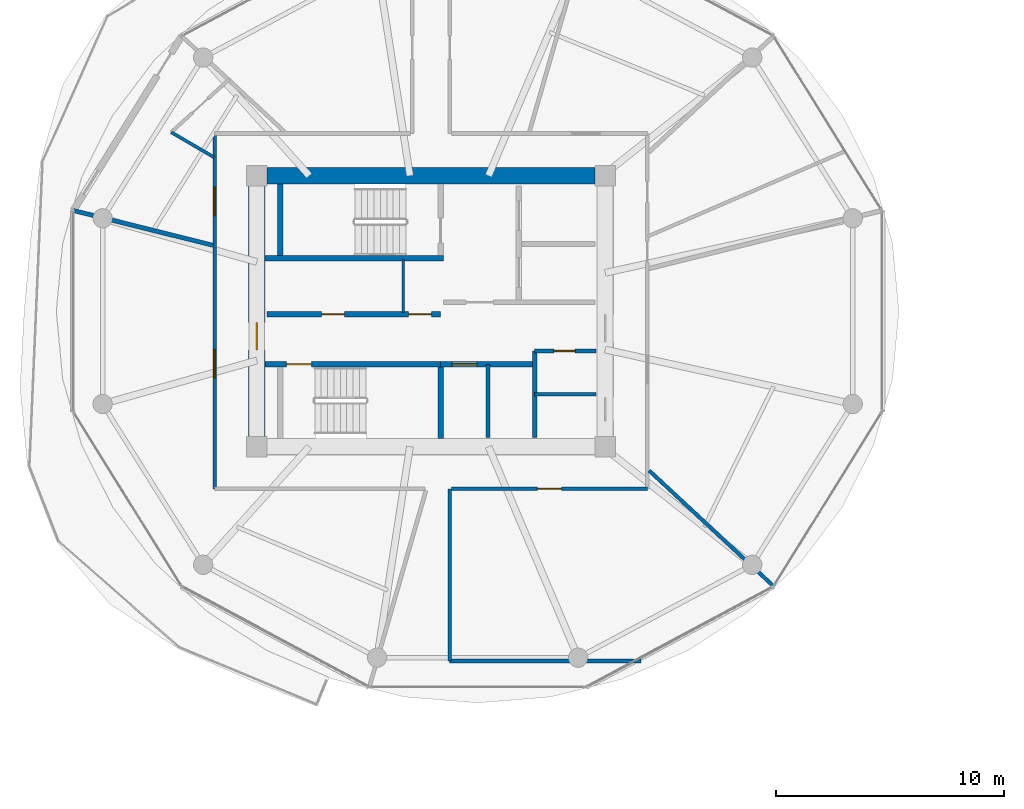
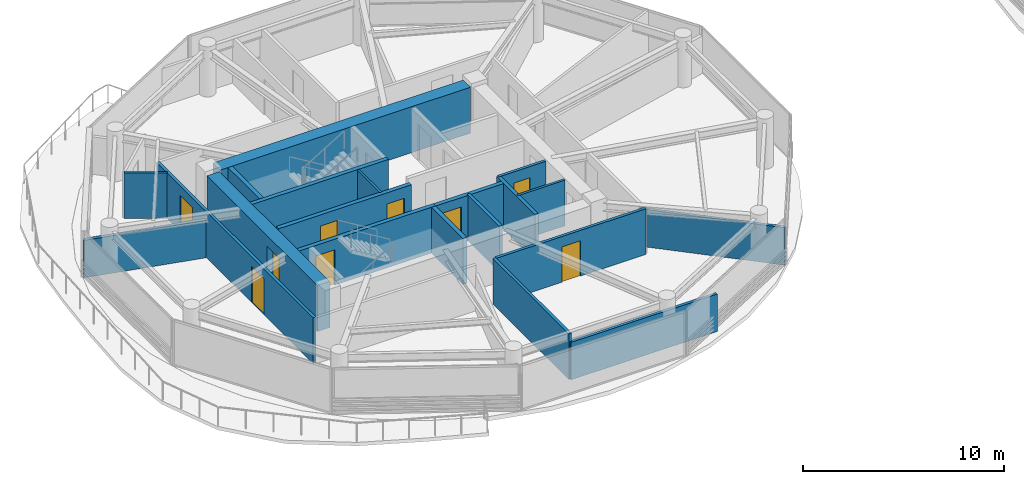
# One storey, part 13 of 22: 20 walls, 9 doors, 9 openings.
"""IFC4 building model written with IfcOpenShell, lengths in metres."""

from ifc_helpers import new_model, si_unit, direction, frame, frame_2d, origin, place, context, subcontext, project, spatial, rectangle, extrude, source, transform, mapped, material, layer, layer_set, type_object, type_shapes, element, fill, save


model = new_model("IFC4")

# Units and contexts
model_context = context("Model", 3, precision=1e-05, world=origin(), true_north=direction((0.0, 1.0)))
body_context = subcontext(model_context, "Body", "Model", "MODEL_VIEW")
ifc_project = project(units=[si_unit("LENGTHUNIT", "METRE"), si_unit("AREAUNIT", "SQUARE_METRE"), si_unit("VOLUMEUNIT", "CUBIC_METRE"), si_unit("PLANEANGLEUNIT", "RADIAN"), si_unit("MASSUNIT", "GRAM", prefix="KILO")], contexts=[model_context])

# Site, building, storey
site_placement = place(None, origin())
site = spatial("IfcSite", under=ifc_project, at=site_placement, CompositionType="ELEMENT")
building_placement = place(site_placement, origin())
building = spatial("IfcBuilding", under=site, at=building_placement, Name="Norrkilde Senior Care Towers", CompositionType="ELEMENT")
storey_placement = place(building_placement, frame((0.0, 0.0, 96.25)))
storey = spatial("IfcBuildingStorey", under=building, at=storey_placement, Name="L29", CompositionType="ELEMENT", Elevation=96.25)

# Wall
ifc_material_1 = material(Name="Concrete C60/75", Category="concrete")
ifc_layer_1 = layer(ifc_material_1, 0.719970703125)
ifc_layer_set_1 = layer_set([ifc_layer_1], Name="Concrete C60/75")
wall_type_1 = type_object("IfcWallType", Name="Core Shear Wall Z2 720", PredefinedType="SHEAR", material=ifc_layer_set_1)
shared_shape_1 = source(origin(), body_context, "Body", "SweptSolid", [
    extrude(rectangle(XDim=14.39990234375, YDim=0.719970703125, at=frame_2d((7.199951171875, 0.0))), origin(), (0.0, 0.0, 1.0), 2.7900390625),
])
wall_1_placement = place(storey_placement, frame((-35.199951171875, 5.949951171875, 0.0), z_axis=(0.0, 0.0, 1.0), x_axis=(1.0, 0.0, 0.0)))
element("IfcWall", 1, at=wall_1_placement, inside=storey, type_object=wall_type_1, Name="L29 Core W North Shear Wall", PredefinedType="SHEAR", context=body_context, shape_type="MappedRepresentation", body=[
    mapped(shared_shape_1, transform((0.0, 0.0, 0.0), x_axis=(1.0, 0.0, 0.0), y_axis=(0.0, 1.0, 0.0), z_axis=(0.0, 0.0, 1.0), scale=1.0)),
])

# Wall, opening, door
shared_shape_2 = source(origin(), body_context, "Body", "SweptSolid", [
    extrude(rectangle(XDim=11.0, YDim=0.719970703125, at=frame_2d((5.5, 0.0))), origin(), (0.0, 0.0, 1.0), 2.7900390625),
])
type_shapes(wall_type_1, [shared_shape_1, shared_shape_2])
wall_2_placement = place(storey_placement, frame((-35.64990234375, -5.5, 0.0), z_axis=(0.0, 0.0, 1.0), x_axis=(0.0, 1.0, 0.0)))
wall_2 = element("IfcWall", 2, at=wall_2_placement, inside=storey, type_object=wall_type_1, Name="L29 Core W West Shear Wall", PredefinedType="SHEAR", context=body_context, shape_type="MappedRepresentation", body=[
    mapped(shared_shape_2, transform((0.0, 0.0, 0.0), x_axis=(1.0, 0.0, 0.0), y_axis=(0.0, 1.0, 0.0), z_axis=(0.0, 0.0, 1.0), scale=1.0)),
])
opening_1_placement = place(wall_2_placement, frame((3.800048828125, 0.0, 0.0)))
opening_1 = element("IfcOpeningElement", 3, at=opening_1_placement, cuts=wall_2, Name="Opening D-04", PredefinedType="OPENING", context=body_context, shape_type="SweptSolid", body=[
    extrude(rectangle(XDim=1.199951171875, YDim=2.14990234375, at=frame_2d((0.60009765625, 1.074951171875))), frame((0.0, 0.369873046875, 0.0), z_axis=(0.0, -1.0, 0.0), x_axis=(1.0, 0.0, 0.0)), (0.0, 0.0, 1.0), 0.739990234375),
])
ifc_material_2 = material(Name="Galvanised Painted Steel", Category="steel")
door_type_1 = type_object("IfcDoorType", Name="Firefighting Lobby Fire Door 1200x2150", OperationType="NOTDEFINED", PredefinedType="DOOR", material=ifc_material_2)
shared_shape_3 = source(origin(), body_context, "Body", "SweptSolid", [
    extrude(rectangle(XDim=1.199951171875, YDim=2.14990234375, at=frame_2d((0.60009765625, 1.074951171875))), frame((0.0, 0.02490234375, 0.0), z_axis=(0.0, -1.0, 0.0), x_axis=(1.0, 0.0, 0.0)), (0.0, 0.0, 1.0), 0.050048828125),
])
type_shapes(door_type_1, [shared_shape_3])
door_1_placement = place(opening_1_placement, frame((1.199951171875, 0.0, 0.0), z_axis=(0.0, 0.0, 1.0), x_axis=(-1.0, 0.0, 0.0)))
door_1 = element("IfcDoor", 4, at=door_1_placement, inside=storey, type_object=door_type_1, Name="L29 Core W West Portal Door", OperationType="SINGLE_SWING_LEFT", OverallHeight=2.14990234375, OverallWidth=1.199951171875, PredefinedType="DOOR", context=body_context, shape_type="MappedRepresentation", body=[
    mapped(shared_shape_3, transform((0.0, 0.0, 0.0), x_axis=(1.0, 0.0, 0.0), y_axis=(0.0, 1.0, 0.0), z_axis=(0.0, 0.0, 1.0), scale=1.0)),
])
fill(opening_1, door_1)

# Wall, openings, doors
ifc_material_3 = material(Name="Concrete C45/55", Category="concrete")
ifc_layer_2 = layer(ifc_material_3, 0.239990234375)
ifc_layer_set_2 = layer_set([ifc_layer_2], Name="Concrete C45/55")
wall_type_2 = type_object("IfcWallType", Name="Lift and Plant Rated Enclosure Partition 240", PredefinedType="PARTITIONING", material=ifc_layer_set_2)
shared_shape_4 = source(origin(), body_context, "Body", "SweptSolid", [
    extrude(rectangle(XDim=7.619873046875, YDim=0.239990234375, at=frame_2d((3.81005859375, 0.0))), origin(), (0.0, 0.0, 1.0), 2.77490234375),
])
wall_3_placement = place(storey_placement, frame((-35.199951171875, -0.1298828125, 0.0), z_axis=(0.0, 0.0, 1.0), x_axis=(1.0, 0.0, 0.0)))
wall_3 = element("IfcWall", 5, at=wall_3_placement, inside=storey, type_object=wall_type_2, Name="WL-INT-L29-W-PKAS", PredefinedType="PARTITIONING", context=body_context, shape_type="MappedRepresentation", body=[
    mapped(shared_shape_4, transform((0.0, 0.0, 0.0), x_axis=(1.0, 0.0, 0.0), y_axis=(0.0, 1.0, 0.0), z_axis=(0.0, 0.0, 1.0), scale=1.0)),
])
opening_2_placement = place(wall_3_placement, frame((6.219970703125, 0.0, 0.0)))
opening_2 = element("IfcOpeningElement", 6, at=opening_2_placement, cuts=wall_3, Name="Opening D-10", PredefinedType="OPENING", context=body_context, shape_type="SweptSolid", body=[
    extrude(rectangle(XDim=1.0, YDim=2.10009765625, at=frame_2d((0.5, 1.050048828125))), frame((0.0, 0.1298828125, 0.0), z_axis=(0.0, -1.0, 0.0), x_axis=(1.0, 0.0, 0.0)), (0.0, 0.0, 1.0), 0.260009765625),
])
opening_3_placement = place(wall_3_placement, frame((2.39990234375, 0.0, 0.0)))
opening_3 = element("IfcOpeningElement", 7, at=opening_3_placement, cuts=wall_3, Name="Opening D-10", PredefinedType="OPENING", context=body_context, shape_type="SweptSolid", body=[
    extrude(rectangle(XDim=1.0, YDim=2.10009765625, at=frame_2d((0.5, 1.050048828125))), frame((0.0, 0.1298828125, 0.0), z_axis=(0.0, -1.0, 0.0), x_axis=(1.0, 0.0, 0.0)), (0.0, 0.0, 1.0), 0.260009765625),
])
door_type_2 = type_object("IfcDoorType", Name="Plant and Riser Rated Door 1000x2100", OperationType="NOTDEFINED", PredefinedType="DOOR", material=ifc_material_2)
shared_shape_5 = source(origin(), body_context, "Body", "SweptSolid", [
    extrude(rectangle(XDim=1.0, YDim=2.10009765625, at=frame_2d((0.5, 1.050048828125))), frame((0.0, 0.02490234375, 0.0), z_axis=(0.0, -1.0, 0.0), x_axis=(1.0, 0.0, 0.0)), (0.0, 0.0, 1.0), 0.050048828125),
])
type_shapes(door_type_2, [shared_shape_5])
door_2_placement = place(opening_2_placement, frame((1.0, 0.0, 0.0), z_axis=(0.0, 0.0, 1.0), x_axis=(-1.0, 0.0, 0.0)))
door_2 = element("IfcDoor", 8, at=door_2_placement, inside=storey, type_object=door_type_2, Name="L29 Electrical Riser W Door", OperationType="SINGLE_SWING_LEFT", OverallHeight=2.10009765625, OverallWidth=1.0, PredefinedType="DOOR", context=body_context, shape_type="MappedRepresentation", body=[
    mapped(shared_shape_5, transform((0.0, 0.0, 0.0), x_axis=(1.0, 0.0, 0.0), y_axis=(0.0, 1.0, 0.0), z_axis=(0.0, 0.0, 1.0), scale=1.0)),
])
fill(opening_2, door_2)
door_3_placement = place(opening_3_placement, frame((1.0, 0.0, 0.0), z_axis=(0.0, 0.0, 1.0), x_axis=(-1.0, 0.0, 0.0)))
door_3 = element("IfcDoor", 9, at=door_3_placement, inside=storey, type_object=door_type_2, Name="L29 Clean Supply Store W Door", OperationType="SINGLE_SWING_LEFT", OverallHeight=2.10009765625, OverallWidth=1.0, PredefinedType="DOOR", context=body_context, shape_type="MappedRepresentation", body=[
    mapped(shared_shape_5, transform((0.0, 0.0, 0.0), x_axis=(1.0, 0.0, 0.0), y_axis=(0.0, 1.0, 0.0), z_axis=(0.0, 0.0, 1.0), scale=1.0)),
])
fill(opening_3, door_3)

# Walls
ifc_material_4 = material(Name="Gypsum Acoustic Board")
ifc_layer_3 = layer(ifc_material_4, 0.114990234375)
ifc_layer_set_3 = layer_set([ifc_layer_3], Name="Gypsum Acoustic Board")
wall_type_3 = type_object("IfcWallType", Name="Internal Room Partition 115", PredefinedType="PARTITIONING", material=ifc_layer_set_3)
shared_shape_6 = source(origin(), body_context, "Body", "SweptSolid", [
    extrude(rectangle(XDim=2.330078125, YDim=0.114990234375, at=frame_2d((1.1650390625, 0.0))), origin(), (0.0, 0.0, 1.0), 2.77490234375),
])
type_shapes(wall_type_3, [shared_shape_6])
wall_4_placement = place(storey_placement, frame((-29.2099609375, -0.050048828125, 0.0), z_axis=(0.0, 0.0, 1.0), x_axis=(0.0, 1.0, 0.0)))
element("IfcWall", 10, at=wall_4_placement, inside=storey, type_object=wall_type_3, Name="WL-INT-L29-W-RISW", PredefinedType="PARTITIONING", context=body_context, shape_type="MappedRepresentation", body=[
    mapped(shared_shape_6, transform((0.0, 0.0, 0.0), x_axis=(1.0, 0.0, 0.0), y_axis=(0.0, 1.0, 0.0), z_axis=(0.0, 0.0, 1.0), scale=1.0)),
])
ifc_layer_4 = layer(ifc_material_3, 0.199951171875)
ifc_layer_set_4 = layer_set([ifc_layer_4], Name="Concrete C45/55")
wall_type_4 = type_object("IfcWallType", Name="Shaft Division and Plant Partition 200", PredefinedType="PARTITIONING", material=ifc_layer_set_4)
shared_shape_7 = source(origin(), body_context, "Body", "SweptSolid", [
    extrude(rectangle(XDim=3.800048828125, YDim=0.199951171875, at=frame_2d((1.89990234375, 0.0))), origin(), (0.0, 0.0, 1.0), 2.77490234375),
])
type_shapes(wall_type_4, [shared_shape_7])
wall_5_placement = place(storey_placement, frame((-23.449951171875, -5.550048828125, 0.0), z_axis=(0.0, 0.0, 1.0), x_axis=(0.0, 1.0, 0.0)))
element("IfcWall", 11, at=wall_5_placement, inside=storey, type_object=wall_type_4, Name="WL-INT-L29-W-PKBE", PredefinedType="PARTITIONING", context=body_context, shape_type="MappedRepresentation", body=[
    mapped(shared_shape_7, transform((0.0, 0.0, 0.0), x_axis=(1.0, 0.0, 0.0), y_axis=(0.0, 1.0, 0.0), z_axis=(0.0, 0.0, 1.0), scale=1.0)),
])

# Wall, opening, door
shared_shape_8 = source(origin(), body_context, "Body", "SweptSolid", [
    extrude(rectangle(XDim=4.130126953125, YDim=0.239990234375, at=frame_2d((2.06494140625, 0.0))), origin(), (0.0, 0.0, 1.0), 2.77490234375),
])
type_shapes(wall_type_2, [shared_shape_4, shared_shape_8])
wall_6_placement = place(storey_placement, frame((-27.580078125, -2.330078125, 0.0), z_axis=(0.0, 0.0, 1.0), x_axis=(1.0, 0.0, 0.0)))
wall_6 = element("IfcWall", 12, at=wall_6_placement, inside=storey, type_object=wall_type_2, Name="WL-INT-L29-W-PKBN", PredefinedType="PARTITIONING", context=body_context, shape_type="MappedRepresentation", body=[
    mapped(shared_shape_8, transform((0.0, 0.0, 0.0), x_axis=(1.0, 0.0, 0.0), y_axis=(0.0, 1.0, 0.0), z_axis=(0.0, 0.0, 1.0), scale=1.0)),
])
opening_4_placement = place(wall_6_placement, frame((0.5, 0.0, 0.0)))
opening_4 = element("IfcOpeningElement", 13, at=opening_4_placement, cuts=wall_6, Name="Opening LD-01", PredefinedType="OPENING", context=body_context, shape_type="SweptSolid", body=[
    extrude(rectangle(XDim=1.10009765625, YDim=2.199951171875, at=frame_2d((0.550048828125, 1.10009765625))), frame((0.0, 0.1298828125, 0.0), z_axis=(0.0, -1.0, 0.0), x_axis=(1.0, 0.0, 0.0)), (0.0, 0.0, 1.0), 0.260009765625),
])
ifc_material_5 = material(Name="Stainless Steel", Category="steel")
door_type_3 = type_object("IfcDoorType", Name="Lift Landing Sliding Door 1100x2200", OperationType="NOTDEFINED", PredefinedType="DOOR", material=ifc_material_5)
shared_shape_9 = source(origin(), body_context, "Body", "SweptSolid", [
    extrude(rectangle(XDim=1.10009765625, YDim=2.199951171875, at=frame_2d((0.550048828125, 1.10009765625))), frame((0.0, 0.02490234375, 0.0), z_axis=(0.0, -1.0, 0.0), x_axis=(1.0, 0.0, 0.0)), (0.0, 0.0, 1.0), 0.050048828125),
])
type_shapes(door_type_3, [shared_shape_9])
door_4_placement = place(opening_4_placement, frame((1.10009765625, 0.0, 0.0), z_axis=(0.0, 0.0, 1.0), x_axis=(-1.0, 0.0, 0.0)))
door_4 = element("IfcDoor", 14, at=door_4_placement, inside=storey, type_object=door_type_3, Name="L29 Passenger Lift W3 Landing Door", OperationType="SLIDING_TO_LEFT", OverallHeight=2.199951171875, OverallWidth=1.10009765625, PredefinedType="DOOR", context=body_context, shape_type="MappedRepresentation", body=[
    mapped(shared_shape_9, transform((0.0, 0.0, 0.0), x_axis=(1.0, 0.0, 0.0), y_axis=(0.0, 1.0, 0.0), z_axis=(0.0, 0.0, 1.0), scale=1.0)),
])
fill(opening_4, door_4)

# Wall
ifc_layer_5 = layer(ifc_material_3, 0.179931640625)
ifc_layer_set_5 = layer_set([ifc_layer_5], Name="Concrete C45/55")
wall_type_5 = type_object("IfcWallType", Name="Hoistway Division Rated Partition 180", PredefinedType="PARTITIONING", material=ifc_layer_set_5)
shared_shape_10 = source(origin(), body_context, "Body", "SweptSolid", [
    extrude(rectangle(XDim=3.219970703125, YDim=0.179931640625, at=frame_2d((1.60986328125, 0.0))), origin(), (0.0, 0.0, 1.0), 2.77490234375),
])
type_shapes(wall_type_5, [shared_shape_10])
wall_7_placement = place(storey_placement, frame((-25.5, -5.550048828125, 0.0), z_axis=(0.0, 0.0, 1.0), x_axis=(0.0, 1.0, 0.0)))
element("IfcWall", 15, at=wall_7_placement, inside=storey, type_object=wall_type_5, Name="WL-INT-L29-W-PL34", PredefinedType="PARTITIONING", context=body_context, shape_type="MappedRepresentation", body=[
    mapped(shared_shape_10, transform((0.0, 0.0, 0.0), x_axis=(1.0, 0.0, 0.0), y_axis=(0.0, 1.0, 0.0), z_axis=(0.0, 0.0, 1.0), scale=1.0)),
])

# Wall, opening, door
ifc_layer_6 = layer(ifc_material_4, 0.1650390625)
ifc_layer_set_6 = layer_set([ifc_layer_6], Name="Gypsum Acoustic Board")
wall_type_6 = type_object("IfcWallType", Name="Corridor Rated Partition 165", PredefinedType="PARTITIONING", material=ifc_layer_set_6)
shared_shape_11 = source(origin(), body_context, "Body", "SweptSolid", [
    extrude(rectangle(XDim=2.699951171875, YDim=0.1650390625, at=frame_2d((1.35009765625, 0.0))), origin(), (0.0, 0.0, 1.0), 2.77490234375),
])
wall_8_placement = place(storey_placement, frame((-23.449951171875, -1.75, 0.0), z_axis=(0.0, 0.0, 1.0), x_axis=(1.0, 0.0, 0.0)))
wall_8 = element("IfcWall", 16, at=wall_8_placement, inside=storey, type_object=wall_type_6, Name="WL-INT-L29-W-CSN", PredefinedType="PARTITIONING", context=body_context, shape_type="MappedRepresentation", body=[
    mapped(shared_shape_11, transform((0.0, 0.0, 0.0), x_axis=(1.0, 0.0, 0.0), y_axis=(0.0, 1.0, 0.0), z_axis=(0.0, 0.0, 1.0), scale=1.0)),
])
opening_5_placement = place(wall_8_placement, frame((0.85009765625, 0.0, 0.0)))
opening_5 = element("IfcOpeningElement", 17, at=opening_5_placement, cuts=wall_8, Name="Opening D-12", PredefinedType="OPENING", context=body_context, shape_type="SweptSolid", body=[
    extrude(rectangle(XDim=0.925048828125, YDim=2.10009765625, at=frame_2d((0.46240234375, 1.050048828125))), frame((0.0, 0.092529296875, 0.0), z_axis=(0.0, -1.0, 0.0), x_axis=(1.0, 0.0, 0.0)), (0.0, 0.0, 1.0), 0.18505859375),
])
door_type_4 = type_object("IfcDoorType", Name="Core Wet Room Rated Door 925x2100", OperationType="NOTDEFINED", PredefinedType="DOOR", material=ifc_material_2)
shared_shape_12 = source(origin(), body_context, "Body", "SweptSolid", [
    extrude(rectangle(XDim=0.925048828125, YDim=2.10009765625, at=frame_2d((0.46240234375, 1.050048828125))), frame((0.0, 0.02490234375, 0.0), z_axis=(0.0, -1.0, 0.0), x_axis=(1.0, 0.0, 0.0)), (0.0, 0.0, 1.0), 0.050048828125),
])
type_shapes(door_type_4, [shared_shape_12])
door_5_placement = place(opening_5_placement, origin())
door_5 = element("IfcDoor", 18, at=door_5_placement, inside=storey, type_object=door_type_4, Name="L29 Staff WC W Door", OperationType="SINGLE_SWING_LEFT", OverallHeight=2.10009765625, OverallWidth=0.925048828125, PredefinedType="DOOR", context=body_context, shape_type="MappedRepresentation", body=[
    mapped(shared_shape_12, transform((0.0, 0.0, 0.0), x_axis=(1.0, 0.0, 0.0), y_axis=(0.0, 1.0, 0.0), z_axis=(0.0, 0.0, 1.0), scale=1.0)),
])
fill(opening_5, door_5)

# Wall
ifc_layer_7 = layer(ifc_material_4, 0.139892578125)
ifc_layer_set_7 = layer_set([ifc_layer_7], Name="Gypsum Acoustic Board")
wall_type_7 = type_object("IfcWallType", Name="En-suite Wet Room Wall 140", PredefinedType="PARTITIONING", material=ifc_layer_set_7)
shared_shape_13 = source(origin(), body_context, "Body", "SweptSolid", [
    extrude(rectangle(XDim=2.699951171875, YDim=0.139892578125, at=frame_2d((1.35009765625, 0.0))), origin(), (0.0, 0.0, 1.0), 2.77490234375),
])
wall_9_placement = place(storey_placement, frame((-23.449951171875, -3.64990234375, 0.0), z_axis=(0.0, 0.0, 1.0), x_axis=(1.0, 0.0, 0.0)))
element("IfcWall", 19, at=wall_9_placement, inside=storey, type_object=wall_type_7, Name="WL-INT-L29-W-CS2H", PredefinedType="PARTITIONING", context=body_context, shape_type="MappedRepresentation", body=[
    mapped(shared_shape_13, transform((0.0, 0.0, 0.0), x_axis=(1.0, 0.0, 0.0), y_axis=(0.0, 1.0, 0.0), z_axis=(0.0, 0.0, 1.0), scale=1.0)),
])

# Wall, openings, doors
shared_shape_14 = source(origin(), body_context, "Body", "SweptSolid", [
    extrude(rectangle(XDim=15.60009765625, YDim=0.1650390625, at=frame_2d((7.800048828125, 0.0))), origin(), (0.0, 0.0, 1.0), 2.77490234375),
])
wall_10_placement = place(storey_placement, frame((-37.5, -7.800048828125, 0.0), z_axis=(0.0, 0.0, 1.0), x_axis=(0.0, 1.0, 0.0)))
wall_10 = element("IfcWall", 20, at=wall_10_placement, inside=storey, type_object=wall_type_6, Name="WL-INT-L29-W-CRW-W-0", PredefinedType="PARTITIONING", context=body_context, shape_type="MappedRepresentation", body=[
    mapped(shared_shape_14, transform((0.0, 0.0, 0.0), x_axis=(1.0, 0.0, 0.0), y_axis=(0.0, 1.0, 0.0), z_axis=(0.0, 0.0, 1.0), scale=1.0)),
])
opening_6_placement = place(wall_10_placement, frame((11.994140625, 0.0, 0.0)))
opening_6 = element("IfcOpeningElement", 21, at=opening_6_placement, cuts=wall_10, Name="Opening D-05", PredefinedType="OPENING", context=body_context, shape_type="SweptSolid", body=[
    extrude(rectangle(XDim=1.25, YDim=2.199951171875, at=frame_2d((0.625, 1.10009765625))), frame((0.0, 0.092529296875, 0.0), z_axis=(0.0, -1.0, 0.0), x_axis=(1.0, 0.0, 0.0)), (0.0, 0.0, 1.0), 0.18505859375),
])
opening_7_placement = place(wall_10_placement, frame((4.867431640625, 0.0, 0.0)))
opening_7 = element("IfcOpeningElement", 22, at=opening_7_placement, cuts=wall_10, Name="Opening D-05", PredefinedType="OPENING", context=body_context, shape_type="SweptSolid", body=[
    extrude(rectangle(XDim=1.25, YDim=2.199951171875, at=frame_2d((0.625, 1.10009765625))), frame((0.0, 0.092529296875, 0.0), z_axis=(0.0, -1.0, 0.0), x_axis=(1.0, 0.0, 0.0)), (0.0, 0.0, 1.0), 0.18505859375),
])
ifc_material_6 = material(Name="Nordic Ash Timber", Category="wood")
door_type_5 = type_object("IfcDoorType", Name="Care Bedroom Bariatric Door 1250x2200", OperationType="NOTDEFINED", PredefinedType="DOOR", material=ifc_material_6)
shared_shape_15 = source(origin(), body_context, "Body", "SweptSolid", [
    extrude(rectangle(XDim=1.25, YDim=2.199951171875, at=frame_2d((0.625, 1.10009765625))), frame((0.0, 0.02490234375, 0.0), z_axis=(0.0, -1.0, 0.0), x_axis=(1.0, 0.0, 0.0)), (0.0, 0.0, 1.0), 0.050048828125),
])
type_shapes(door_type_5, [shared_shape_15])
door_6_placement = place(opening_6_placement, frame((1.25, 0.0, 0.0), z_axis=(0.0, 0.0, 1.0), x_axis=(-1.0, 0.0, 0.0)))
door_6 = element("IfcDoor", 23, at=door_6_placement, inside=storey, type_object=door_type_5, Name="L29 Care Suite 2904 Entrance Door", OperationType="SINGLE_SWING_LEFT", OverallHeight=2.199951171875, OverallWidth=1.25, PredefinedType="DOOR", context=body_context, shape_type="MappedRepresentation", body=[
    mapped(shared_shape_15, transform((0.0, 0.0, 0.0), x_axis=(1.0, 0.0, 0.0), y_axis=(0.0, 1.0, 0.0), z_axis=(0.0, 0.0, 1.0), scale=1.0)),
])
fill(opening_6, door_6)
door_7_placement = place(opening_7_placement, frame((1.25, 0.0, 0.0), z_axis=(0.0, 0.0, 1.0), x_axis=(-1.0, 0.0, 0.0)))
door_7 = element("IfcDoor", 24, at=door_7_placement, inside=storey, type_object=door_type_5, Name="L29 Household Communal Dining Salon Door", OperationType="SINGLE_SWING_RIGHT", OverallHeight=2.199951171875, OverallWidth=1.25, PredefinedType="DOOR", context=body_context, shape_type="MappedRepresentation", body=[
    mapped(shared_shape_15, transform((0.0, 0.0, 0.0), x_axis=(1.0, 0.0, 0.0), y_axis=(0.0, 1.0, 0.0), z_axis=(0.0, 0.0, 1.0), scale=1.0)),
])
fill(opening_7, door_7)

# Wall
ifc_layer_8 = layer(ifc_material_3, 0.239990234375)
ifc_layer_set_8 = layer_set([ifc_layer_8], Name="Concrete C45/55")
wall_type_8 = type_object("IfcWallType", Name="Shaft and Stair Enclosure Wall 240", PredefinedType="PARTITIONING", material=ifc_layer_set_8)
shared_shape_16 = source(origin(), body_context, "Body", "SweptSolid", [
    extrude(rectangle(XDim=7.830078125, YDim=0.239990234375, at=frame_2d((3.9150390625, 0.0))), origin(), (0.0, 0.0, 1.0), 2.7900390625),
])
wall_11_placement = place(storey_placement, frame((-35.2900390625, 2.330078125, 0.0), z_axis=(0.0, 0.0, 1.0), x_axis=(1.0, 0.0, 0.0)))
element("IfcWall", 25, at=wall_11_placement, inside=storey, type_object=wall_type_8, Name="WL-INT-L29-W-ST1S", PredefinedType="PARTITIONING", context=body_context, shape_type="MappedRepresentation", body=[
    mapped(shared_shape_16, transform((0.0, 0.0, 0.0), x_axis=(1.0, 0.0, 0.0), y_axis=(0.0, 1.0, 0.0), z_axis=(0.0, 0.0, 1.0), scale=1.0)),
])

# Wall, opening, door
wall_12_placement = place(storey_placement, frame((-35.2900390625, -2.330078125, 0.0), z_axis=(0.0, 0.0, 1.0), x_axis=(1.0, 0.0, 0.0)))
wall_12 = element("IfcWall", 26, at=wall_12_placement, inside=storey, type_object=wall_type_8, Name="WL-INT-L29-W-ST2N", PredefinedType="PARTITIONING", context=body_context, shape_type="MappedRepresentation", body=[
    mapped(shared_shape_16, transform((0.0, 0.0, 0.0), x_axis=(1.0, 0.0, 0.0), y_axis=(0.0, 1.0, 0.0), z_axis=(0.0, 0.0, 1.0), scale=1.0)),
])
opening_8_placement = place(wall_12_placement, frame((0.949951171875, 0.0, 0.0)))
opening_8 = element("IfcOpeningElement", 27, at=opening_8_placement, cuts=wall_12, Name="Opening D-03", PredefinedType="OPENING", context=body_context, shape_type="SweptSolid", body=[
    extrude(rectangle(XDim=1.10009765625, YDim=2.14990234375, at=frame_2d((0.550048828125, 1.074951171875))), frame((0.0, 0.1298828125, 0.0), z_axis=(0.0, -1.0, 0.0), x_axis=(1.0, 0.0, 0.0)), (0.0, 0.0, 1.0), 0.260009765625),
])
door_type_6 = type_object("IfcDoorType", Name="Stairwell Protected Fire Door 1100x2150", OperationType="NOTDEFINED", PredefinedType="DOOR", material=ifc_material_2)
shared_shape_17 = source(origin(), body_context, "Body", "SweptSolid", [
    extrude(rectangle(XDim=1.10009765625, YDim=2.14990234375, at=frame_2d((0.550048828125, 1.074951171875))), frame((0.0, 0.02490234375, 0.0), z_axis=(0.0, -1.0, 0.0), x_axis=(1.0, 0.0, 0.0)), (0.0, 0.0, 1.0), 0.050048828125),
])
type_shapes(door_type_6, [shared_shape_17])
door_8_placement = place(opening_8_placement, frame((1.10009765625, 0.0, 0.0), z_axis=(0.0, 0.0, 1.0), x_axis=(-1.0, 0.0, 0.0)))
door_8 = element("IfcDoor", 28, at=door_8_placement, inside=storey, type_object=door_type_6, Name="L29 Stair W2 Fire Door", OperationType="SINGLE_SWING_RIGHT", OverallHeight=2.14990234375, OverallWidth=1.10009765625, PredefinedType="DOOR", context=body_context, shape_type="MappedRepresentation", body=[
    mapped(shared_shape_17, transform((0.0, 0.0, 0.0), x_axis=(1.0, 0.0, 0.0), y_axis=(0.0, 1.0, 0.0), z_axis=(0.0, 0.0, 1.0), scale=1.0)),
])
fill(opening_8, door_8)

# Walls
shared_shape_18 = source(origin(), body_context, "Body", "SweptSolid", [
    extrude(rectangle(XDim=3.14013671875, YDim=0.239990234375, at=frame_2d((1.570068359375, 0.0))), origin(), (0.0, 0.0, 1.0), 2.7900390625),
])
type_shapes(wall_type_8, [shared_shape_16, shared_shape_18])
for number, where, z_axis, x_axis, name in (
    (29, (-34.6201171875, 2.449951171875, 0.0), (0.0, 0.0, 1.0), (0.0, 1.0, 0.0), "WL-INT-L29-W-ST1W"),
    (30, (-27.580078125, -5.590087890625, 0.0), (0.0, 0.0, 1.0), (0.0, 1.0, 0.0), "WL-INT-L29-W-ST2E"),
):
    element("IfcWall", number, at=place(storey_placement, frame(where, z_axis=z_axis, x_axis=x_axis)), inside=storey, type_object=wall_type_8, Name=name, PredefinedType="PARTITIONING", context=body_context, shape_type="MappedRepresentation", body=[
        mapped(shared_shape_18, transform((0.0, 0.0, 0.0), x_axis=(1.0, 0.0, 0.0), y_axis=(0.0, 1.0, 0.0), z_axis=(0.0, 0.0, 1.0), scale=1.0)),
    ])

# Wall, opening, door
shared_shape_19 = source(origin(), body_context, "Body", "SweptSolid", [
    extrude(rectangle(XDim=8.60009765625, YDim=0.1650390625, at=frame_2d((4.300048828125, 0.0))), origin(), (0.0, 0.0, 1.0), 2.77490234375),
])
wall_13_placement = place(storey_placement, frame((-18.5, -7.800048828125, 0.0), z_axis=(0.0, 0.0, 1.0), x_axis=(-1.0, 0.0, 0.0)))
wall_13 = element("IfcWall", 31, at=wall_13_placement, inside=storey, type_object=wall_type_6, Name="WL-INT-L29-W-CRW-S-0", PredefinedType="PARTITIONING", context=body_context, shape_type="MappedRepresentation", body=[
    mapped(shared_shape_19, transform((0.0, 0.0, 0.0), x_axis=(1.0, 0.0, 0.0), y_axis=(0.0, 1.0, 0.0), z_axis=(0.0, 0.0, 1.0), scale=1.0)),
])
opening_9_placement = place(wall_13_placement, frame((3.77490234375, 0.0, 0.0)))
opening_9 = element("IfcOpeningElement", 32, at=opening_9_placement, cuts=wall_13, Name="Opening D-06", PredefinedType="OPENING", context=body_context, shape_type="SweptSolid", body=[
    extrude(rectangle(XDim=1.050048828125, YDim=2.14990234375, at=frame_2d((0.52490234375, 1.074951171875))), frame((0.0, 0.092529296875, 0.0), z_axis=(0.0, -1.0, 0.0), x_axis=(1.0, 0.0, 0.0)), (0.0, 0.0, 1.0), 0.18505859375),
])
door_type_7 = type_object("IfcDoorType", Name="Apartment Entrance Fire Door 1050x2150", OperationType="NOTDEFINED", PredefinedType="DOOR", material=ifc_material_6)
shared_shape_20 = source(origin(), body_context, "Body", "SweptSolid", [
    extrude(rectangle(XDim=1.050048828125, YDim=2.14990234375, at=frame_2d((0.52490234375, 1.074951171875))), frame((0.0, 0.02490234375, 0.0), z_axis=(0.0, -1.0, 0.0), x_axis=(1.0, 0.0, 0.0)), (0.0, 0.0, 1.0), 0.050048828125),
])
type_shapes(door_type_7, [shared_shape_20])
door_9_placement = place(opening_9_placement, frame((1.050048828125, 0.0, 0.0), z_axis=(0.0, 0.0, 1.0), x_axis=(-1.0, 0.0, 0.0)))
door_9 = element("IfcDoor", 33, at=door_9_placement, inside=storey, type_object=door_type_7, Name="L29 Reading Lounge SEL Door", OperationType="SINGLE_SWING_RIGHT", OverallHeight=2.14990234375, OverallWidth=1.050048828125, PredefinedType="DOOR", context=body_context, shape_type="MappedRepresentation", body=[
    mapped(shared_shape_20, transform((0.0, 0.0, 0.0), x_axis=(1.0, 0.0, 0.0), y_axis=(0.0, 1.0, 0.0), z_axis=(0.0, 0.0, 1.0), scale=1.0)),
])
fill(opening_9, door_9)

# Walls
shared_shape_21 = source(origin(), body_context, "Body", "SweptSolid", [
    extrude(rectangle(XDim=7.482177734375, YDim=0.1650390625, at=frame_2d((3.7412109375, 0.0))), origin(), (0.0, 0.0, 1.0), 2.27490234375),
])
wall_14_placement = place(storey_placement, frame((-18.419921875, -6.998046875, 0.0), z_axis=(0.0, 0.0, 1.0), x_axis=(0.732508698043, -0.680757671489, 0.0)))
element("IfcWall", 34, at=wall_14_placement, inside=storey, type_object=wall_type_6, Name="WL-INT-L29-W-DEM-10-0", PredefinedType="PARTITIONING", context=body_context, shape_type="MappedRepresentation", body=[
    mapped(shared_shape_21, transform((0.0, 0.0, 0.0), x_axis=(1.0, 0.0, 0.0), y_axis=(0.0, 1.0, 0.0), z_axis=(0.0, 0.0, 1.0), scale=1.0)),
])
shared_shape_22 = source(origin(), body_context, "Body", "SweptSolid", [
    extrude(rectangle(XDim=7.56005859375, YDim=0.1650390625, at=frame_2d((3.780029296875, 0.0))), origin(), (0.0, 0.0, 1.0), 2.77490234375),
])
wall_15_placement = place(storey_placement, frame((-27.179931640625, -15.360107421875, 0.0), z_axis=(0.0, 0.0, 1.0), x_axis=(0.0, 1.0, 0.0)))
element("IfcWall", 35, at=wall_15_placement, inside=storey, type_object=wall_type_6, Name="WL-INT-L29-W-PKW-SEL", PredefinedType="PARTITIONING", context=body_context, shape_type="MappedRepresentation", body=[
    mapped(shared_shape_22, transform((0.0, 0.0, 0.0), x_axis=(1.0, 0.0, 0.0), y_axis=(0.0, 1.0, 0.0), z_axis=(0.0, 0.0, 1.0), scale=1.0)),
])
shared_shape_23 = source(origin(), body_context, "Body", "SweptSolid", [
    extrude(rectangle(XDim=8.406982421875, YDim=0.1650390625, at=frame_2d((4.20361328125, 0.0))), origin(), (0.0, 0.0, 1.0), 2.27490234375),
])
type_shapes(wall_type_6, [shared_shape_11, shared_shape_14, shared_shape_19, shared_shape_21, shared_shape_22, shared_shape_23])
wall_16_placement = place(storey_placement, frame((-27.179931640625, -15.360107421875, 0.0), z_axis=(0.0, 0.0, 1.0), x_axis=(1.0, 0.0, 0.0)))
element("IfcWall", 36, at=wall_16_placement, inside=storey, type_object=wall_type_6, Name="WL-INT-L29-W-PKH-SEL-0", PredefinedType="PARTITIONING", context=body_context, shape_type="MappedRepresentation", body=[
    mapped(shared_shape_23, transform((0.0, 0.0, 0.0), x_axis=(1.0, 0.0, 0.0), y_axis=(0.0, 1.0, 0.0), z_axis=(0.0, 0.0, 1.0), scale=1.0)),
])
ifc_layer_9 = layer(ifc_material_4, 0.18994140625)
ifc_layer_set_9 = layer_set([ifc_layer_9], Name="Gypsum Acoustic Board")
wall_type_9 = type_object("IfcWallType", Name="Unit Demising Acoustic Wall 190", PredefinedType="PARTITIONING", material=ifc_layer_set_9)
shared_shape_24 = source(origin(), body_context, "Body", "SweptSolid", [
    extrude(rectangle(XDim=6.33056640625, YDim=0.18994140625, at=frame_2d((3.165283203125, 0.0))), origin(), (0.0, 0.0, 1.0), 2.27490234375),
])
type_shapes(wall_type_9, [shared_shape_24])
wall_17_placement = place(storey_placement, frame((-37.580078125, 2.89599609375, 0.0), z_axis=(0.0, 0.0, 1.0), x_axis=(-0.97036440661, 0.241646267062, 0.0)))
element("IfcWall", 37, at=wall_17_placement, inside=storey, type_object=wall_type_9, Name="WL-INT-L29-W-DEM-05-0", PredefinedType="PARTITIONING", context=body_context, shape_type="MappedRepresentation", body=[
    mapped(shared_shape_24, transform((0.0, 0.0, 0.0), x_axis=(1.0, 0.0, 0.0), y_axis=(0.0, 1.0, 0.0), z_axis=(0.0, 0.0, 1.0), scale=1.0)),
])
shared_shape_25 = source(origin(), body_context, "Body", "SweptSolid", [
    extrude(rectangle(XDim=2.171630859375, YDim=0.139892578125, at=frame_2d((1.0859375, 0.0))), origin(), (0.0, 0.0, 1.0), 2.77490234375),
])
type_shapes(wall_type_7, [shared_shape_13, shared_shape_25])
wall_18_placement = place(storey_placement, frame((-37.530029296875, 6.761962890625, 0.0), z_axis=(0.0, 0.0, 1.0), x_axis=(-0.863562702562, 0.504241468688, 0.0)))
element("IfcWall", 38, at=wall_18_placement, inside=storey, type_object=wall_type_7, Name="WL-INT-L29-W-ES-04", PredefinedType="PARTITIONING", context=body_context, shape_type="MappedRepresentation", body=[
    mapped(shared_shape_25, transform((0.0, 0.0, 0.0), x_axis=(1.0, 0.0, 0.0), y_axis=(0.0, 1.0, 0.0), z_axis=(0.0, 0.0, 1.0), scale=1.0)),
])

save(model, "model.ifc")
